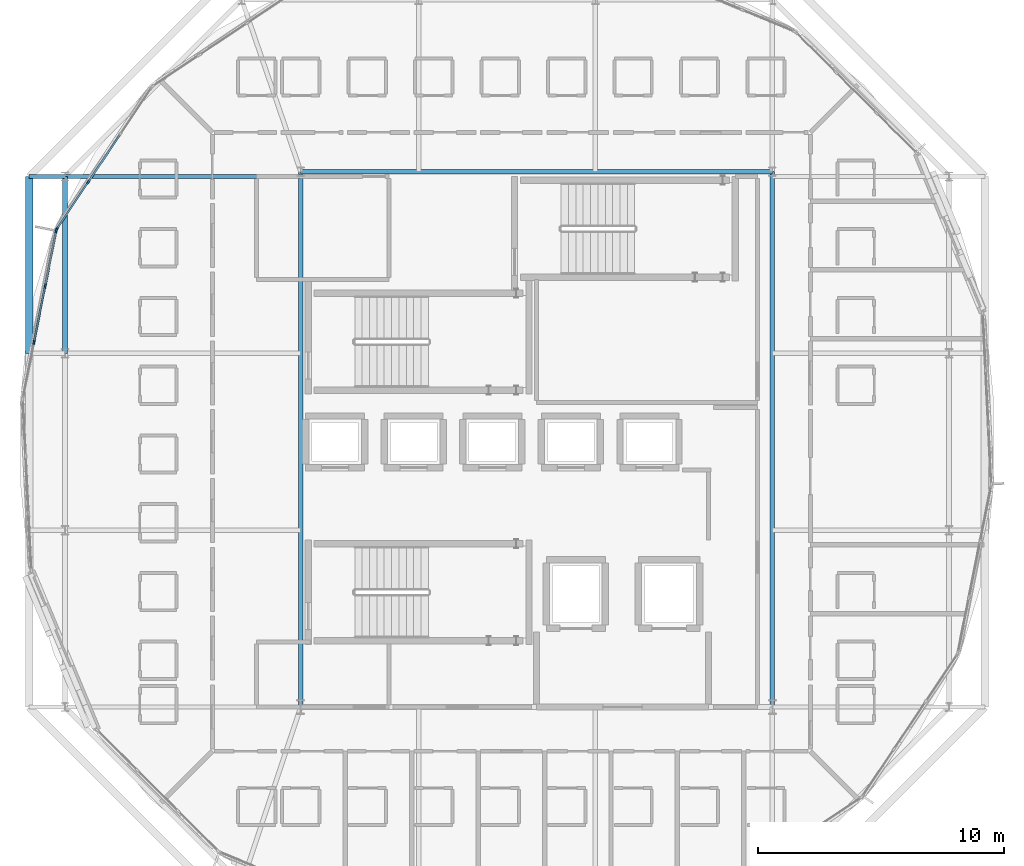
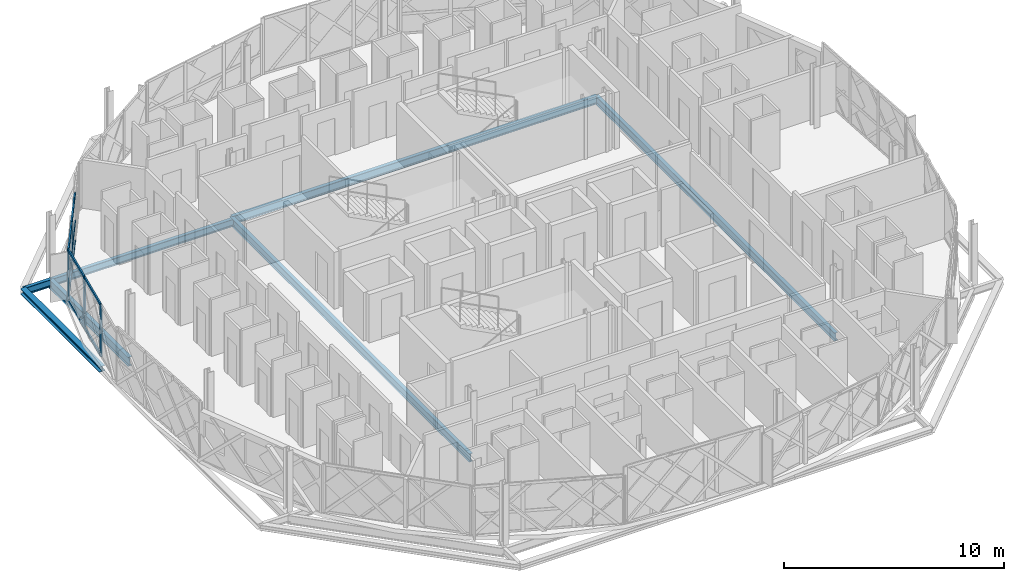
# One storey, part 7 of 24: 15 members, 7 beams, 2 elements without a shape of their own.
"""IFC4 building model written with IfcOpenShell, lengths in metres."""

from ifc_helpers import new_model, si_unit, direction, frame, origin, origin_2d, place, context, subcontext, project, spatial, rectangle, i_section, extrude, material, layer, layer_set, material_profile, profile_set, type_object, element, aggregate, save


model = new_model("IFC4")

# Units and contexts
model_context = context("Model", 3, precision=1e-05, world=origin(), true_north=direction((0.0, 1.0)))
body_context = subcontext(model_context, "Body", "Model", "MODEL_VIEW")
ifc_project = project(units=[si_unit("LENGTHUNIT", "METRE"), si_unit("AREAUNIT", "SQUARE_METRE"), si_unit("VOLUMEUNIT", "CUBIC_METRE"), si_unit("PLANEANGLEUNIT", "RADIAN"), si_unit("MASSUNIT", "GRAM", prefix="KILO")], contexts=[model_context])

# Site, building, storey
site_placement = place(None, origin())
site = spatial("IfcSite", under=ifc_project, at=site_placement, CompositionType="ELEMENT")
building_placement = place(site_placement, origin())
building = spatial("IfcBuilding", under=site, at=building_placement, Name="Zevrakil Square Congress Hotel", CompositionType="ELEMENT")
storey_placement = place(building_placement, frame((0.0, 0.0, 38.5)))
storey = spatial("IfcBuildingStorey", under=building, at=storey_placement, Name="L11", CompositionType="ELEMENT", Elevation=38.5)

# Beams
ifc_material_1 = material(Name="Steel S355", Category="steel")
ifc_material_profile_1 = material_profile(ifc_material_1, i_section(OverallWidth=0.18994140625, OverallDepth=0.449951171875, WebThickness=0.009521484375, FlangeThickness=0.0146484375, FilletRadius=0.02099609375, at=origin_2d()), Name="IPE 450")
ifc_profile_set_1 = profile_set([ifc_material_profile_1], Name="Steel S355")
beam_type_1 = type_object("IfcBeamType", Name="BM-IPE450", PredefinedType="BEAM", material=ifc_profile_set_1)
beam_1_placement = place(storey_placement, frame((156.0, 16.800048828125, -0.4599609375), z_axis=(0.0, 1.0, 0.0), x_axis=(-1.0, 0.0, 0.0)))
element("IfcBeam", 1, at=beam_1_placement, inside=storey, type_object=beam_type_1, Name="L11 drum core perimeter tie beam DCB-02", PredefinedType="BEAM", context=body_context, shape_type="SweptSolid", body=[
    extrude(i_section(OverallWidth=0.18994140625, OverallDepth=0.449951171875, WebThickness=0.009521484375, FlangeThickness=0.0146484375, FilletRadius=0.02099609375, at=origin_2d()), origin(), (0.0, 0.0, 1.0), 21.800048828125),
])
beam_2_placement = place(storey_placement, frame((156.0, 38.60009765625, -0.4599609375), z_axis=(-1.0, 0.0, 0.0), x_axis=(0.0, -1.0, 0.0)))
element("IfcBeam", 2, at=beam_2_placement, inside=storey, type_object=beam_type_1, Name="L11 drum core perimeter tie beam DCB-03", PredefinedType="BEAM", context=body_context, shape_type="SweptSolid", body=[
    extrude(i_section(OverallWidth=0.18994140625, OverallDepth=0.449951171875, WebThickness=0.009521484375, FlangeThickness=0.0146484375, FilletRadius=0.02099609375, at=origin_2d()), origin(), (0.0, 0.0, 1.0), 19.199951171875),
])
beam_3_placement = place(storey_placement, frame((136.800048828125, 38.60009765625, -0.4599609375), z_axis=(0.0, -1.0, 0.0), x_axis=(1.0, 0.0, 0.0)))
element("IfcBeam", 3, at=beam_3_placement, inside=storey, type_object=beam_type_1, Name="L11 drum core perimeter tie beam DCB-04", PredefinedType="BEAM", context=body_context, shape_type="SweptSolid", body=[
    extrude(i_section(OverallWidth=0.18994140625, OverallDepth=0.449951171875, WebThickness=0.009521484375, FlangeThickness=0.0146484375, FilletRadius=0.02099609375, at=origin_2d()), origin(), (0.0, 0.0, 1.0), 21.800048828125),
])
ifc_material_2 = material(Name="Steel S355", Category="steel")
ifc_material_profile_2 = material_profile(ifc_material_2, i_section(OverallWidth=0.199951171875, OverallDepth=0.5, WebThickness=0.01025390625, FlangeThickness=0.01611328125, FilletRadius=0.02099609375, at=origin_2d()), Name="IPE 500")
ifc_profile_set_2 = profile_set([ifc_material_profile_2], Name="Steel S355")
beam_type_2 = type_object("IfcBeamType", Name="BM-IPE500", PredefinedType="BEAM", material=ifc_profile_set_2)
beam_4_placement = place(storey_placement, frame((127.199951171875, 38.39990234375, -0.485107421875), z_axis=(0.0, -1.0, 0.0), x_axis=(1.0, 0.0, 0.0)))
element("IfcBeam", 4, at=beam_4_placement, inside=storey, type_object=beam_type_2, Name="L11 drum ring girder DRB-13", PredefinedType="BEAM", context=body_context, shape_type="SweptSolid", body=[
    extrude(i_section(OverallWidth=0.199951171875, OverallDepth=0.5, WebThickness=0.01025390625, FlangeThickness=0.01611328125, FilletRadius=0.02099609375, at=origin_2d()), origin(), (0.0, 0.0, 1.0), 7.199951171875),
])

# Curtain wall, members
ifc_material_3 = material(Name="Aluminium Anodised Bronze", Category="aluminium")
ifc_layer = layer(ifc_material_3, 0.179931640625)
ifc_layer_set = layer_set([ifc_layer], Name="Aluminium Anodised Bronze")
curtain_wall_type = type_object("IfcCurtainWallType", Name="CW-L11-720", PredefinedType="USERDEFINED", material=ifc_layer_set)
curtain_wall_1_placement = place(storey_placement, origin())
curtain_wall_1 = element("IfcCurtainWall", 5, at=curtain_wall_1_placement, inside=storey, type_object=curtain_wall_type, Name="L11 diamond curtain wall CW-L11-0296", ObjectType="GLAZED CURTAIN WALL", PredefinedType="USERDEFINED")
ifc_material_4 = material(Name="Aluminium Anodised Bronze", Category="aluminium")
ifc_material_profile_3 = material_profile(ifc_material_4, rectangle(XDim=0.074951171875, YDim=0.14990234375, at=origin_2d()), Name="ALU 75x150")
ifc_profile_set_3 = profile_set([ifc_material_profile_3], Name="Aluminium Anodised Bronze")
member_type_1 = type_object("IfcMemberType", Name="CWM-ALU75x150", PredefinedType="USERDEFINED", material=ifc_profile_set_3)
member_1_placement = place(storey_placement, frame((129.4287109375, 40.090576171875, 0.030029296875), z_axis=(-0.555517096247, -0.831505114703, 0.0), x_axis=(0.831505114703, -0.555517096247, 0.0)))
member_1 = element("IfcMember", 6, at=member_1_placement, type_object=member_type_1, Name="CW-130 transom 2.1", ObjectType="TRANSOM", PredefinedType="USERDEFINED", context=body_context, shape_type="SweptSolid", body=[
    extrude(rectangle(XDim=0.074951171875, YDim=0.14990234375, at=origin_2d()), origin(), (0.0, 0.0, 1.0), 2.275146484375),
])
member_2_placement = place(storey_placement, frame((129.4287109375, 40.090576171875, 1.1318359375), z_axis=(-0.555517096247, -0.831505114703, 0.0), x_axis=(0.831505114703, -0.555517096247, 0.0)))
member_2 = element("IfcMember", 7, at=member_2_placement, type_object=member_type_1, Name="CW-130 transom 2.2", ObjectType="TRANSOM", PredefinedType="USERDEFINED", context=body_context, shape_type="SweptSolid", body=[
    extrude(rectangle(XDim=0.074951171875, YDim=0.14990234375, at=origin_2d()), origin(), (0.0, 0.0, 1.0), 2.275146484375),
])
member_3_placement = place(storey_placement, frame((129.4287109375, 40.090576171875, 2.6650390625), z_axis=(-0.555517096247, -0.831505114703, 0.0), x_axis=(0.831505114703, -0.555517096247, 0.0)))
member_3 = element("IfcMember", 8, at=member_3_placement, type_object=member_type_1, Name="CW-130 transom 2.3", ObjectType="TRANSOM", PredefinedType="USERDEFINED", context=body_context, shape_type="SweptSolid", body=[
    extrude(rectangle(XDim=0.074951171875, YDim=0.14990234375, at=origin_2d()), origin(), (0.0, 0.0, 1.0), 2.275146484375),
])
member_4_placement = place(storey_placement, frame((128.13134765625, 38.14892578125, 0.030029296875), z_axis=(-0.555527981667, -0.831497842201, 0.0), x_axis=(0.831497842201, -0.555527981667, 0.0)))
member_4 = element("IfcMember", 9, at=member_4_placement, type_object=member_type_1, Name="CW-130 transom 3.1", ObjectType="TRANSOM", PredefinedType="USERDEFINED", context=body_context, shape_type="SweptSolid", body=[
    extrude(rectangle(XDim=0.074951171875, YDim=0.14990234375, at=origin_2d()), origin(), (0.0, 0.0, 1.0), 2.245361328125),
])
member_5_placement = place(storey_placement, frame((128.13134765625, 38.14892578125, 1.1318359375), z_axis=(-0.555527981667, -0.831497842201, 0.0), x_axis=(0.831497842201, -0.555527981667, 0.0)))
member_5 = element("IfcMember", 10, at=member_5_placement, type_object=member_type_1, Name="CW-130 transom 3.2", ObjectType="TRANSOM", PredefinedType="USERDEFINED", context=body_context, shape_type="SweptSolid", body=[
    extrude(rectangle(XDim=0.074951171875, YDim=0.14990234375, at=origin_2d()), origin(), (0.0, 0.0, 1.0), 2.245361328125),
])
member_6_placement = place(storey_placement, frame((128.13134765625, 38.14892578125, 2.6650390625), z_axis=(-0.555527981667, -0.831497842201, 0.0), x_axis=(0.831497842201, -0.555527981667, 0.0)))
member_6 = element("IfcMember", 11, at=member_6_placement, type_object=member_type_1, Name="CW-130 transom 3.3", ObjectType="TRANSOM", PredefinedType="USERDEFINED", context=body_context, shape_type="SweptSolid", body=[
    extrude(rectangle(XDim=0.074951171875, YDim=0.14990234375, at=origin_2d()), origin(), (0.0, 0.0, 1.0), 2.245361328125),
])

curtain_wall_2_placement = place(storey_placement, origin())
curtain_wall_2 = element("IfcCurtainWall", 12, at=curtain_wall_2_placement, inside=storey, type_object=curtain_wall_type, Name="L11 diamond curtain wall CW-L11-0297", ObjectType="GLAZED CURTAIN WALL", PredefinedType="USERDEFINED")
member_7_placement = place(storey_placement, frame((126.839111328125, 36.17333984375, 0.030029296875), z_axis=(-0.195175089304, -0.980768415333, 0.0), x_axis=(0.980768415333, -0.195175089304, 0.0)))
member_7 = element("IfcMember", 13, at=member_7_placement, type_object=member_type_1, Name="CW-130 transom 1.1", ObjectType="TRANSOM", PredefinedType="USERDEFINED", context=body_context, shape_type="SweptSolid", body=[
    extrude(rectangle(XDim=0.074951171875, YDim=0.14990234375, at=origin_2d()), origin(), (0.0, 0.0, 1.0), 2.245361328125),
])
member_8_placement = place(storey_placement, frame((126.839111328125, 36.17333984375, 2.804931640625), z_axis=(-0.195175089304, -0.980768415333, 0.0), x_axis=(0.980768415333, -0.195175089304, 0.0)))
member_8 = element("IfcMember", 14, at=member_8_placement, type_object=member_type_1, Name="CW-130 transom 1.2", ObjectType="TRANSOM", PredefinedType="USERDEFINED", context=body_context, shape_type="SweptSolid", body=[
    extrude(rectangle(XDim=0.074951171875, YDim=0.14990234375, at=origin_2d()), origin(), (0.0, 0.0, 1.0), 2.245361328125),
])
member_9_placement = place(storey_placement, frame((126.38916015625, 33.912353515625, 0.030029296875), z_axis=(-0.195084227953, -0.980786492568, 0.0), x_axis=(0.980786492568, -0.195084227953, 0.0)))
member_9 = element("IfcMember", 15, at=member_9_placement, type_object=member_type_1, Name="CW-130 transom 2.1", ObjectType="TRANSOM", PredefinedType="USERDEFINED", context=body_context, shape_type="SweptSolid", body=[
    extrude(rectangle(XDim=0.074951171875, YDim=0.14990234375, at=origin_2d()), origin(), (0.0, 0.0, 1.0), 2.275146484375),
])
member_10_placement = place(storey_placement, frame((126.38916015625, 33.912353515625, 2.804931640625), z_axis=(-0.195084227953, -0.980786492568, 0.0), x_axis=(0.980786492568, -0.195084227953, 0.0)))
member_10 = element("IfcMember", 16, at=member_10_placement, type_object=member_type_1, Name="CW-130 transom 2.2", ObjectType="TRANSOM", PredefinedType="USERDEFINED", context=body_context, shape_type="SweptSolid", body=[
    extrude(rectangle(XDim=0.074951171875, YDim=0.14990234375, at=origin_2d()), origin(), (0.0, 0.0, 1.0), 2.275146484375),
])

# Member
ifc_material_5 = material(Name="Aluminium Anodised Bronze", Category="aluminium")
ifc_material_profile_4 = material_profile(ifc_material_5, rectangle(XDim=0.074951171875, YDim=0.179931640625, at=origin_2d()), Name="ALU 75x180")
ifc_profile_set_4 = profile_set([ifc_material_profile_4], Name="Aluminium Anodised Bronze")
member_type_2 = type_object("IfcMemberType", Name="CWM-ALU75x180", PredefinedType="MULLION", material=ifc_profile_set_4)
member_11_placement = place(storey_placement, frame((128.148193359375, 38.173828125, 0.0), z_axis=(0.0, 0.0, 1.0), x_axis=(0.831465693332, -0.555576098128, 0.0)))
member_11 = element("IfcMember", 17, at=member_11_placement, type_object=member_type_2, Name="CW-130 mullion 3", PredefinedType="MULLION", context=body_context, shape_type="SweptSolid", body=[
    extrude(rectangle(XDim=0.074951171875, YDim=0.179931640625, at=origin_2d()), origin(), (0.0, 0.0, 1.0), 2.695068359375),
])

member_12_placement = place(storey_placement, frame((126.867431640625, 36.257080078125, 0.0), z_axis=(0.0, 0.0, 1.0), x_axis=(0.831465693332, -0.555576098128, 0.0)))
member_12 = element("IfcMember", 18, at=member_12_placement, type_object=member_type_2, Name="CW-130 mullion 4", PredefinedType="MULLION", context=body_context, shape_type="SweptSolid", body=[
    extrude(rectangle(XDim=0.074951171875, YDim=0.179931640625, at=origin_2d()), origin(), (0.0, 0.0, 1.0), 2.695068359375),
])

aggregate(curtain_wall_1, [member_11, member_12, member_1, member_2, member_3, member_4, member_5, member_6])

member_13_placement = place(storey_placement, frame((126.8447265625, 36.20263671875, 0.0), z_axis=(0.0, 0.0, 1.0), x_axis=(0.980786557708, -0.195083900459, 0.0)))
member_13 = element("IfcMember", 19, at=member_13_placement, type_object=member_type_2, Name="CW-130 mullion 1", PredefinedType="MULLION", context=body_context, shape_type="SweptSolid", body=[
    extrude(rectangle(XDim=0.074951171875, YDim=0.179931640625, at=origin_2d()), origin(), (0.0, 0.0, 1.0), 2.8349609375),
])

member_14_placement = place(storey_placement, frame((126.39501953125, 33.941650390625, 0.0), z_axis=(0.0, 0.0, 1.0), x_axis=(0.980786557708, -0.195083900459, 0.0)))
member_14 = element("IfcMember", 20, at=member_14_placement, type_object=member_type_2, Name="CW-130 mullion 2", PredefinedType="MULLION", context=body_context, shape_type="SweptSolid", body=[
    extrude(rectangle(XDim=0.074951171875, YDim=0.179931640625, at=origin_2d()), origin(), (0.0, 0.0, 1.0), 2.8349609375),
])

member_15_placement = place(storey_placement, frame((125.939453125, 31.6513671875, 0.0), z_axis=(0.0, 0.0, 1.0), x_axis=(0.980786557708, -0.195083900459, 0.0)))
member_15 = element("IfcMember", 21, at=member_15_placement, type_object=member_type_2, Name="CW-130 mullion 3", PredefinedType="MULLION", context=body_context, shape_type="SweptSolid", body=[
    extrude(rectangle(XDim=0.074951171875, YDim=0.179931640625, at=origin_2d()), origin(), (0.0, 0.0, 1.0), 2.8349609375),
])

aggregate(curtain_wall_2, [member_13, member_14, member_15, member_7, member_8, member_9, member_10])

# Beams
ifc_material_6 = material(Name="Steel S355", Category="steel")
ifc_material_profile_5 = material_profile(ifc_material_6, i_section(OverallWidth=0.179931640625, OverallDepth=0.39990234375, WebThickness=0.008544921875, FlangeThickness=0.013427734375, FilletRadius=0.02099609375, at=origin_2d()), Name="IPE 400")
ifc_profile_set_5 = profile_set([ifc_material_profile_5], Name="Steel S355")
beam_type_3 = type_object("IfcBeamType", Name="JST-IPE400", PredefinedType="JOIST", material=ifc_profile_set_5)
beam_5_placement = place(storey_placement, frame((136.800048828125, 38.39990234375, -0.43505859375), z_axis=(-1.0, 0.0, 0.0), x_axis=(0.0, -1.0, 0.0)))
element("IfcBeam", 22, at=beam_5_placement, inside=storey, type_object=beam_type_3, Name="L11 drum radial floor beam DRI-13", PredefinedType="JOIST", context=body_context, shape_type="SweptSolid", body=[
    extrude(i_section(OverallWidth=0.179931640625, OverallDepth=0.39990234375, WebThickness=0.008544921875, FlangeThickness=0.013427734375, FilletRadius=0.02099609375, at=origin_2d()), origin(), (0.0, 0.0, 1.0), 9.60009765625),
])
beam_6_placement = place(storey_placement, frame((127.199951171875, 38.39990234375, -0.43505859375), z_axis=(-1.0, 0.0, 0.0), x_axis=(0.0, -1.0, 0.0)))
element("IfcBeam", 23, at=beam_6_placement, inside=storey, type_object=beam_type_3, Name="L11 drum radial edge cantilever beam DRO-13", PredefinedType="JOIST", context=body_context, shape_type="SweptSolid", body=[
    extrude(i_section(OverallWidth=0.179931640625, OverallDepth=0.39990234375, WebThickness=0.008544921875, FlangeThickness=0.013427734375, FilletRadius=0.02099609375, at=origin_2d()), origin(), (0.0, 0.0, 1.0), 1.4560546875),
])
ifc_material_7 = material(Name="Steel S355", Category="steel")
ifc_material_profile_6 = material_profile(ifc_material_7, i_section(OverallWidth=0.300048828125, OverallDepth=0.300048828125, WebThickness=0.010986328125, FlangeThickness=0.01904296875, FilletRadius=0.027099609375, at=origin_2d()), Name="HEB 300")
ifc_profile_set_6 = profile_set([ifc_material_profile_6], Name="Steel S355")
beam_type_4 = type_object("IfcBeamType", Name="SPD-RHS250", PredefinedType="SPANDREL", material=ifc_profile_set_6)
beam_7_placement = place(storey_placement, frame((125.743896484375, 38.39990234375, -0.385009765625), z_axis=(0.0, -1.0, 0.0), x_axis=(1.0, 0.0, 0.0)))
element("IfcBeam", 24, at=beam_7_placement, inside=storey, type_object=beam_type_4, Name="L11 drum edge spandrel beam DSP-12", PredefinedType="SPANDREL", context=body_context, shape_type="SweptSolid", body=[
    extrude(i_section(OverallWidth=0.300048828125, OverallDepth=0.300048828125, WebThickness=0.010986328125, FlangeThickness=0.01904296875, FilletRadius=0.027099609375, at=origin_2d()), origin(), (0.0, 0.0, 1.0), 7.199951171875),
])

save(model, "model.ifc")
